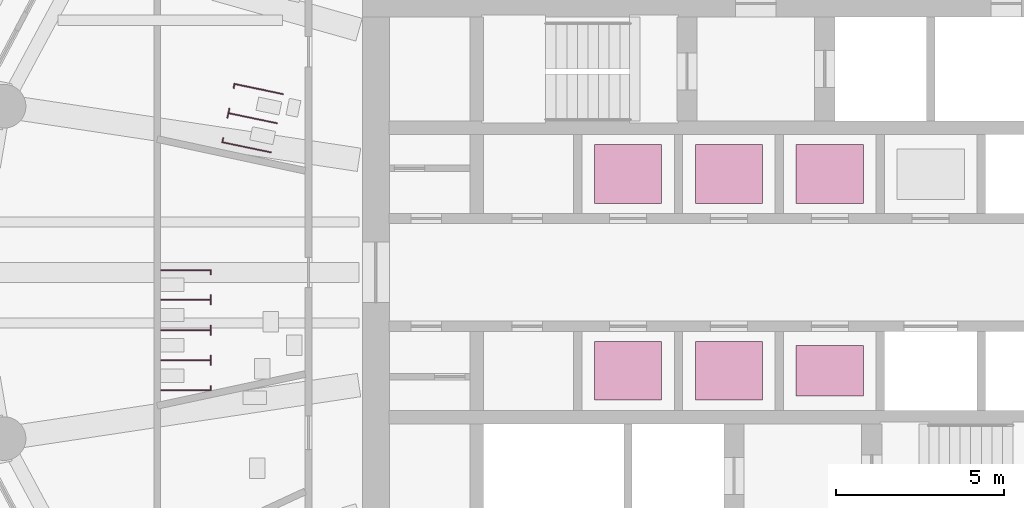
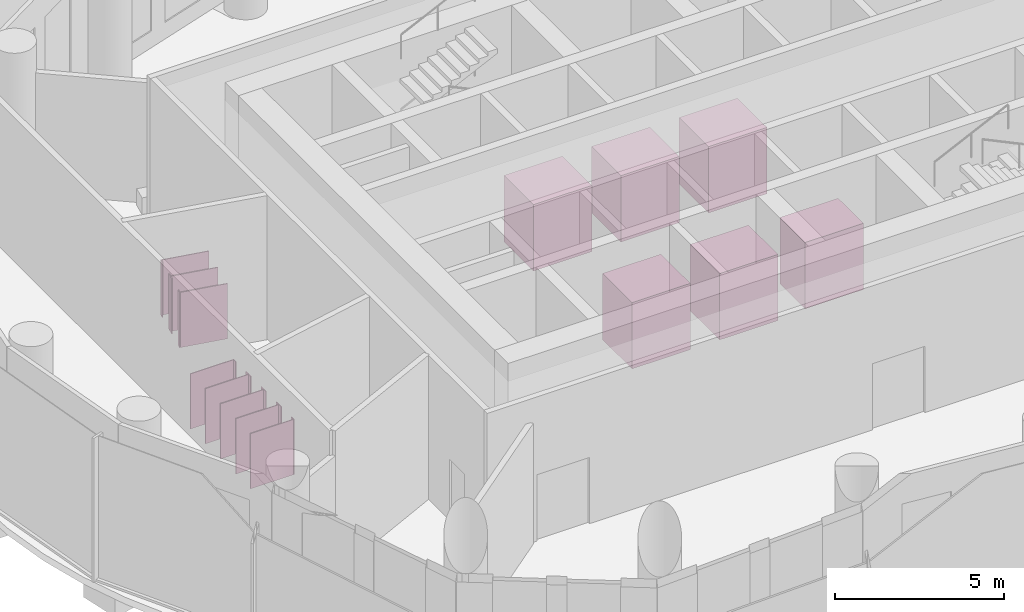
# One storey, part 12 of 13: 20 furniture elements, 6 transport elements.
"""IFC4 building model written with IfcOpenShell, lengths in metres."""

from ifc_helpers import new_model, si_unit, direction, frame, origin, origin_2d, place, context, subcontext, project, spatial, rectangle, extrude, material, type_object, element, save


model = new_model("IFC4")

# Units and contexts
model_context = context("Model", 3, precision=1e-05, world=origin(), true_north=direction((0.0, 1.0)))
body_context = subcontext(model_context, "Body", "Model", "MODEL_VIEW")
ifc_project = project(units=[si_unit("LENGTHUNIT", "METRE"), si_unit("AREAUNIT", "SQUARE_METRE"), si_unit("VOLUMEUNIT", "CUBIC_METRE"), si_unit("PLANEANGLEUNIT", "RADIAN"), si_unit("MASSUNIT", "GRAM", prefix="KILO")], contexts=[model_context])

# Site, building, storey
site_placement = place(None, origin())
site = spatial("IfcSite", under=ifc_project, at=site_placement, CompositionType="ELEMENT")
building_placement = place(site_placement, origin())
building = spatial("IfcBuilding", under=site, at=building_placement, Name="Hankou Lantern Tower", CompositionType="ELEMENT")
storey_placement = place(building_placement, frame((0.0, 0.0, 100.199951171875)))
storey = spatial("IfcBuildingStorey", under=building, at=storey_placement, Name="L25", CompositionType="ELEMENT", Elevation=100.199951171875)

# Transport elements
ifc_material_1 = material(Name="Steel lift car", Category="steel")
transport_element_type_1 = type_object("IfcTransportElementType", Name="LF-H HIGH-RISE LIFT 1600 KG", PredefinedType="ELEVATOR", material=ifc_material_1)
for number, where, z_axis, x_axis, name in (
    (1, (-1.5, 2.925048828125, 0.0), (0.0, 0.0, 1.0), (1.0, 0.0, 0.0), "Lift H1 high-rise guest lifts"),
    (2, (1.5, 2.925048828125, 0.0), (0.0, 0.0, 1.0), (1.0, 0.0, 0.0), "Lift H2 high-rise guest lifts"),
    (3, (-1.5, -2.925048828125, 0.0), (0.0, 0.0, 1.0), (1.0, 0.0, 0.0), "Lift H3 high-rise guest lifts"),
):
    element("IfcTransportElement", number, at=place(storey_placement, frame(where, z_axis=z_axis, x_axis=x_axis)), inside=storey, type_object=transport_element_type_1, Name=name, PredefinedType="ELEVATOR", context=body_context, shape_type="SweptSolid", body=[
        extrude(rectangle(XDim=2.0, YDim=1.75, at=origin_2d()), origin(), (0.0, 0.0, 1.0), 2.4),
    ])
ifc_material_2 = material(Name="Steel lift car", Category="steel")
transport_element_type_2 = type_object("IfcTransportElementType", Name="LF-M MID-RISE LIFT 1600 KG", PredefinedType="ELEVATOR", material=ifc_material_2)
for number, where, z_axis, x_axis, name in (
    (4, (-4.5, 2.925048828125, 0.0), (0.0, 0.0, 1.0), (1.0, 0.0, 0.0), "Lift M1 mid-rise guest lifts"),
    (5, (-4.5, -2.925048828125, 0.0), (0.0, 0.0, 1.0), (1.0, 0.0, 0.0), "Lift M2 mid-rise guest lifts"),
):
    element("IfcTransportElement", number, at=place(storey_placement, frame(where, z_axis=z_axis, x_axis=x_axis)), inside=storey, type_object=transport_element_type_2, Name=name, PredefinedType="ELEVATOR", context=body_context, shape_type="SweptSolid", body=[
        extrude(rectangle(XDim=2.0, YDim=1.75, at=origin_2d()), origin(), (0.0, 0.0, 1.0), 2.4),
    ])
ifc_material_3 = material(Name="Steel lift car", Category="steel")
transport_element_type_3 = type_object("IfcTransportElementType", Name="LF-T SUITE LIFT 1350 KG", PredefinedType="ELEVATOR", material=ifc_material_3)
transport_element_placement = place(storey_placement, frame((1.5, -2.925048828125, 0.0), z_axis=(0.0, 0.0, 1.0), x_axis=(1.0, 0.0, 0.0)))
element("IfcTransportElement", 6, at=transport_element_placement, inside=storey, type_object=transport_element_type_3, Name="Lift T2 suite lifts", PredefinedType="ELEVATOR", context=body_context, shape_type="SweptSolid", body=[
    extrude(rectangle(XDim=2.0, YDim=1.5, at=origin_2d()), origin(), (0.0, 0.0, 1.0), 2.4),
])

# Furniture
for number, where, z_axis, x_axis, name in (
    (7, (-15.46826171875, 5.451171875, 0.0), (0.0, 0.0, 1.0), (-0.204022788451, -0.978966139247, 0.0), "Male WC cubicle partition 1"),
    (8, (-15.648681640625, 4.584716796875, 0.0), (0.0, 0.0, 1.0), (-0.204022788451, -0.978966139247, 0.0), "Male WC cubicle partition 2"),
    (9, (-15.829345703125, 3.718505859375, 0.0), (0.0, 0.0, 1.0), (-0.204022788451, -0.978966139247, 0.0), "Male WC cubicle partition 3"),
):
    element("IfcFurniture", number, at=place(storey_placement, frame(where, z_axis=z_axis, x_axis=x_axis)), inside=storey, Name=name, ObjectType="WC cubicle partition", PredefinedType="USERDEFINED", context=body_context, shape_type="SweptSolid", body=[
        extrude(rectangle(XDim=0.030029296875, YDim=1.469970703125, at=origin_2d()), origin(), (0.0, 0.0, 1.0), 2.0),
    ])
for number, where, z_axis, x_axis, name in (
    (10, (-16.214599609375, 5.54541015625, 0.0), (0.0, 0.0, 1.0), (-0.204022788451, -0.978966139247, 0.0), "Male WC cubicle partition 4"),
    (11, (-16.36767578125, 4.811279296875, 0.0), (0.0, 0.0, 1.0), (-0.204022788451, -0.978966139247, 0.0), "Male WC cubicle partition 5"),
    (12, (-16.398193359375, 4.664306640625, 0.0), (0.0, 0.0, 1.0), (-0.204022788451, -0.978966139247, 0.0), "Male WC cubicle partition 6"),
    (13, (-16.551513671875, 3.93017578125, 0.0), (0.0, 0.0, 1.0), (-0.204022788451, -0.978966139247, 0.0), "Male WC cubicle partition 7"),
):
    element("IfcFurniture", number, at=place(storey_placement, frame(where, z_axis=z_axis, x_axis=x_axis)), inside=storey, Name=name, ObjectType="WC cubicle partition", PredefinedType="USERDEFINED", context=body_context, shape_type="SweptSolid", body=[
        extrude(rectangle(XDim=0.14990234375, YDim=0.030029296875, at=origin_2d()), origin(), (0.0, 0.0, 1.0), 2.0),
    ])
for number, where, z_axis, x_axis, name in (
    (14, (-17.6650390625, -3.50048828125, 0.0), (0.0, 0.0, 1.0), (0.0, 1.0, 0.0), "Female WC cubicle partition 1"),
    (15, (-17.6650390625, -2.615478515625, 0.0), (0.0, 0.0, 1.0), (0.0, 1.0, 0.0), "Female WC cubicle partition 2"),
    (16, (-17.6650390625, -1.715576171875, 0.0), (0.0, 0.0, 1.0), (0.0, 1.0, 0.0), "Female WC cubicle partition 3"),
    (17, (-17.6650390625, -0.815673828125, 0.0), (0.0, 0.0, 1.0), (0.0, 1.0, 0.0), "Female WC cubicle partition 4"),
    (18, (-17.6650390625, 0.0693359375, 0.0), (0.0, 0.0, 1.0), (0.0, 1.0, 0.0), "Female WC cubicle partition 5"),
):
    element("IfcFurniture", number, at=place(storey_placement, frame(where, z_axis=z_axis, x_axis=x_axis)), inside=storey, Name=name, ObjectType="WC cubicle partition", PredefinedType="USERDEFINED", context=body_context, shape_type="SweptSolid", body=[
        extrude(rectangle(XDim=0.030029296875, YDim=1.469970703125, at=origin_2d()), origin(), (0.0, 0.0, 1.0), 2.0),
    ])
for number, where, z_axis, x_axis, name in (
    (19, (-16.9150390625, -3.440673828125, 0.0), (0.0, 0.0, 1.0), (0.0, 1.0, 0.0), "Female WC cubicle partition 6"),
    (20, (-16.9150390625, -2.690673828125, 0.0), (0.0, 0.0, 1.0), (0.0, 1.0, 0.0), "Female WC cubicle partition 7"),
    (21, (-16.9150390625, -2.54052734375, 0.0), (0.0, 0.0, 1.0), (0.0, 1.0, 0.0), "Female WC cubicle partition 8"),
    (22, (-16.9150390625, -1.79052734375, 0.0), (0.0, 0.0, 1.0), (0.0, 1.0, 0.0), "Female WC cubicle partition 9"),
    (23, (-16.9150390625, -1.640625, 0.0), (0.0, 0.0, 1.0), (0.0, 1.0, 0.0), "Female WC cubicle partition 10"),
    (24, (-16.9150390625, -0.890625, 0.0), (0.0, 0.0, 1.0), (0.0, 1.0, 0.0), "Female WC cubicle partition 11"),
    (25, (-16.9150390625, -0.740478515625, 0.0), (0.0, 0.0, 1.0), (0.0, 1.0, 0.0), "Female WC cubicle partition 12"),
    (26, (-16.9150390625, 0.009521484375, 0.0), (0.0, 0.0, 1.0), (0.0, 1.0, 0.0), "Female WC cubicle partition 13"),
):
    element("IfcFurniture", number, at=place(storey_placement, frame(where, z_axis=z_axis, x_axis=x_axis)), inside=storey, Name=name, ObjectType="WC cubicle partition", PredefinedType="USERDEFINED", context=body_context, shape_type="SweptSolid", body=[
        extrude(rectangle(XDim=0.14990234375, YDim=0.030029296875, at=origin_2d()), origin(), (0.0, 0.0, 1.0), 2.0),
    ])

save(model, "model.ifc")
